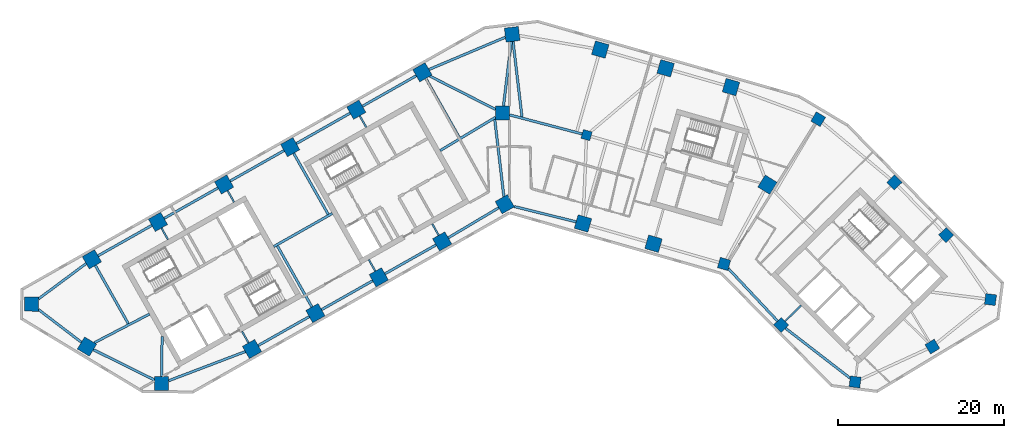
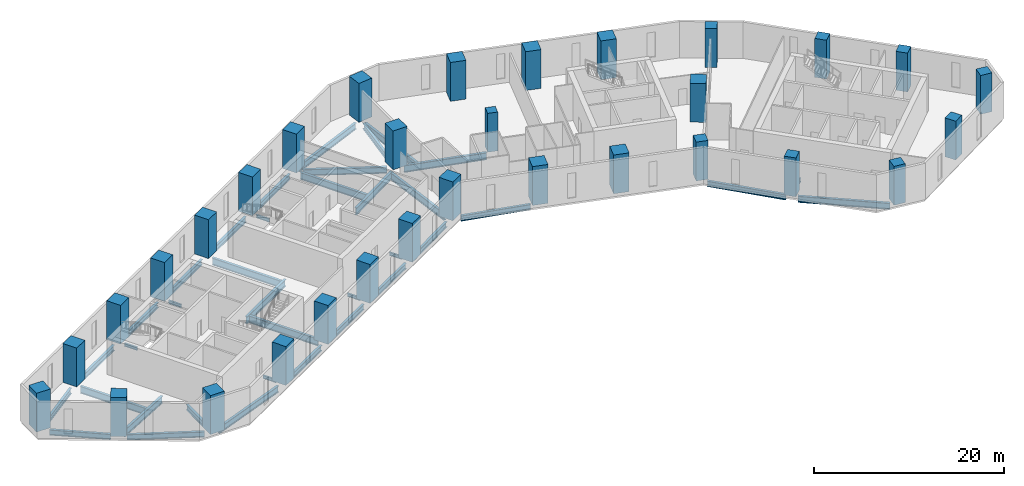
# One storey, part 1 of 10: 37 beams, 31 columns.
"""IFC4 building model written with IfcOpenShell, lengths in metres."""

from ifc_helpers import new_model, si_unit, direction, frame, origin, origin_2d, place, context, subcontext, project, spatial, rectangle, i_section, extrude, material, material_profile, profile_set, type_object, element, save


model = new_model("IFC4")

# Units and contexts
model_context = context("Model", 3, precision=1e-05, world=origin(), true_north=direction((0.0, 1.0)))
body_context = subcontext(model_context, "Body", "Model", "MODEL_VIEW")
ifc_project = project(units=[si_unit("LENGTHUNIT", "METRE"), si_unit("AREAUNIT", "SQUARE_METRE"), si_unit("VOLUMEUNIT", "CUBIC_METRE"), si_unit("PLANEANGLEUNIT", "RADIAN"), si_unit("MASSUNIT", "GRAM", prefix="KILO")], contexts=[model_context])

# Site, building, storey
site_placement = place(None, origin())
site = spatial("IfcSite", under=ifc_project, at=site_placement, CompositionType="ELEMENT")
building_placement = place(site_placement, origin())
building = spatial("IfcBuilding", under=site, at=building_placement, Name="Binnacle Exchange Tower", CompositionType="ELEMENT")
storey_placement = place(building_placement, frame((0.0, 0.0, 61.5)))
storey = spatial("IfcBuildingStorey", under=building, at=storey_placement, Name="L12", CompositionType="ELEMENT", Elevation=61.5)

# Columns
ifc_material_1 = material(Name="Concrete C60/75", Category="concrete")
ifc_material_profile_1 = material_profile(ifc_material_1, rectangle(XDim=1.10009765625, YDim=1.10009765625, at=origin_2d()), Name="Column 1100x1100 C60/75")
ifc_profile_set_1 = profile_set([ifc_material_profile_1], Name="Concrete C60/75")
column_type_1 = type_object("IfcColumnType", Name="Column 1100x1100 C60/75", PredefinedType="COLUMN", material=ifc_profile_set_1)
column_placement = place(storey_placement, frame((9.240966796875, 57.35009765625, 0.0), z_axis=(0.0, 0.0, 1.0), x_axis=(0.961261695938, -0.275637355817, 0.0)))
element("IfcColumn", 1, at=column_placement, inside=storey, type_object=column_type_1, Name="S:COL:C19:L12", PredefinedType="COLUMN", context=body_context, shape_type="SweptSolid", body=[
    extrude(rectangle(XDim=1.10009765625, YDim=1.10009765625, at=origin_2d()), origin(), (0.0, 0.0, 1.0), 5.0),
])
ifc_material_2 = material(Name="Concrete C70/85", Category="concrete")
ifc_material_profile_2 = material_profile(ifc_material_2, rectangle(XDim=1.300048828125, YDim=1.300048828125, at=origin_2d()), Name="Mega column 1300x1300 C70/85")
ifc_profile_set_2 = profile_set([ifc_material_profile_2], Name="Concrete C70/85")
column_type_2 = type_object("IfcColumnType", Name="Mega column 1300x1300 C70/85", PredefinedType="COLUMN", material=ifc_profile_set_2)
for number, where, z_axis, x_axis, name in (
    (2, (37.0849609375, 59.262451171875, 0.0), (0.0, 0.0, 1.0), (-0.859406411501, 0.511293086077, 0.0), "S:COL:MC57:L12"),
    (3, (25.766845703125, 41.85986328125, 0.0), (0.0, 0.0, 1.0), (0.961261695938, -0.275637355817, 0.0), "S:COL:MC56:L12"),
    (4, (32.64111328125, 34.530029296875, 0.0), (0.0, 0.0, 1.0), (0.7009092643, -0.713250449154, 0.0), "S:COL:MC59:L12"),
    (5, (41.519775390625, 27.6748046875, 0.0), (0.0, 0.0, 1.0), (0.99200494968, -0.126198969136, 0.0), "S:COL:MC61:L12"),
    (6, (50.81201171875, 31.930908203125, 0.0), (0.0, 0.0, 1.0), (0.857167300702, 0.51503807491, 0.0), "S:COL:MC63:L12"),
    (7, (57.799072265625, 37.5810546875, 0.0), (0.0, 0.0, 1.0), (0.126198969136, 0.99200494968, 0.0), "S:COL:MC62:L12"),
    (8, (52.466796875, 45.33935546875, 0.0), (0.0, 0.0, 1.0), (-0.7009092643, 0.713250449154, 0.0), "S:COL:MC60:L12"),
    (9, (46.248291015625, 51.667236328125, 0.0), (0.0, 0.0, 1.0), (-0.7009092643, 0.713250449154, 0.0), "S:COL:MC58:L12"),
):
    element("IfcColumn", number, at=place(storey_placement, frame(where, z_axis=z_axis, x_axis=x_axis)), inside=storey, type_object=column_type_2, Name=name, PredefinedType="COLUMN", context=body_context, shape_type="SweptSolid", body=[
        extrude(rectangle(XDim=1.300048828125, YDim=1.300048828125, at=origin_2d()), origin(), (0.0, 0.0, 1.0), 5.0),
    ])
ifc_material_profile_3 = material_profile(ifc_material_2, rectangle(XDim=1.699951171875, YDim=1.699951171875, at=origin_2d()), Name="Mega column 1700x1700 C70/85")
ifc_profile_set_3 = profile_set([ifc_material_profile_3], Name="Concrete C70/85")
column_type_3 = type_object("IfcColumnType", Name="Mega column 1700x1700 C70/85", PredefinedType="COLUMN", material=ifc_profile_set_3)
for number, where, z_axis, x_axis, name in (
    (10, (26.602783203125, 63.12353515625, 0.0), (0.0, 0.0, 1.0), (-0.961261695938, 0.275637355817, 0.0), "S:COL:MC52:L12"),
    (11, (18.746337890625, 65.376220703125, 0.0), (0.0, 0.0, 1.0), (-0.961261695938, 0.275637355817, 0.0), "S:COL:MC50:L12"),
    (12, (10.889892578125, 67.62890625, 0.0), (0.0, 0.0, 1.0), (-0.961261695938, 0.275637355817, 0.0), "S:COL:MC48:L12"),
    (13, (0.300048828125, 69.464111328125, 0.0), (0.0, 0.0, 1.0), (-0.993068456955, -0.117537397458, 0.0), "S:COL:MC47:L12"),
    (14, (-10.4951171875, 64.901611328125, 0.0), (0.0, 0.0, 1.0), (-0.87035569594, -0.492423560103, 0.0), "S:COL:MC38:L12"),
    (15, (-18.44140625, 60.406005859375, 0.0), (0.0, 0.0, 1.0), (-0.87035569594, -0.492423560103, 0.0), "S:COL:MC29:L12"),
    (16, (-26.3876953125, 55.91015625, 0.0), (0.0, 0.0, 1.0), (-0.87035569594, -0.492423560103, 0.0), "S:COL:MC21:L12"),
    (17, (-34.333740234375, 51.414306640625, 0.0), (0.0, 0.0, 1.0), (-0.87035569594, -0.492423560103, 0.0), "S:COL:MC13:L12"),
    (18, (-42.280029296875, 46.918701171875, 0.0), (0.0, 0.0, 1.0), (-0.87035569594, -0.492423560103, 0.0), "S:COL:MC08:L12"),
    (19, (-50.226318359375, 42.4228515625, 0.0), (0.0, 0.0, 1.0), (-0.87035569594, -0.492423560103, 0.0), "S:COL:MC04:L12"),
    (20, (-57.492919921875, 37.02734375, 0.0), (0.0, 0.0, 1.0), (-0.013089595571, -0.999914327574, 0.0), "S:COL:MC02:L12"),
    (21, (-50.81201171875, 31.930908203125, 0.0), (0.0, 0.0, 1.0), (0.857167300702, -0.51503807491, 0.0), "S:COL:MC01:L12"),
    (22, (-41.857666015625, 27.494873046875, 0.0), (0.0, 0.0, 1.0), (0.999914327574, -0.013089595571, 0.0), "S:COL:MC03:L12"),
    (23, (-30.9755859375, 31.63525390625, 0.0), (0.0, 0.0, 1.0), (0.87035569594, 0.492423560103, 0.0), "S:COL:MC07:L12"),
    (24, (-23.35595703125, 35.9462890625, 0.0), (0.0, 0.0, 1.0), (0.87035569594, 0.492423560103, 0.0), "S:COL:MC16:L12"),
    (25, (-15.736328125, 40.257080078125, 0.0), (0.0, 0.0, 1.0), (0.87035569594, 0.492423560103, 0.0), "S:COL:MC24:L12"),
    (26, (-8.116943359375, 44.568115234375, 0.0), (0.0, 0.0, 1.0), (0.87035569594, 0.492423560103, 0.0), "S:COL:MC35:L12"),
    (27, (-0.5908203125, 49.04443359375, 0.0), (0.0, 0.0, 1.0), (0.87035569594, 0.492423560103, 0.0), "S:COL:MC46:L12"),
    (28, (8.8095703125, 46.722412109375, 0.0), (0.0, 0.0, 1.0), (0.961261695938, -0.275637355817, 0.0), "S:COL:MC49:L12"),
    (29, (17.2880859375, 44.291015625, 0.0), (0.0, 0.0, 1.0), (0.961261695938, -0.275637355817, 0.0), "S:COL:MC51:L12"),
    (30, (30.989501953125, 51.38623046875, 0.0), (0.0, 0.0, 1.0), (0.529919264233, 0.848048096156, 0.0), "S:COL:MC55:L12"),
    (31, (-0.85009765625, 60.0, 0.0), (0.0, 0.0, 1.0), (0.0, 1.0, 0.0), "S:COL:MC45:L12"),
):
    element("IfcColumn", number, at=place(storey_placement, frame(where, z_axis=z_axis, x_axis=x_axis)), inside=storey, type_object=column_type_3, Name=name, PredefinedType="COLUMN", context=body_context, shape_type="SweptSolid", body=[
        extrude(rectangle(XDim=1.699951171875, YDim=1.699951171875, at=origin_2d()), origin(), (0.0, 0.0, 1.0), 5.0),
    ])

# Beams
ifc_material_3 = material(Name="Steel S355 (SHN355)", Category="steel")
ifc_material_profile_4 = material_profile(ifc_material_3, i_section(OverallWidth=0.300048828125, OverallDepth=0.699951171875, WebThickness=0.012939453125, FlangeThickness=0.02392578125, FilletRadius=0.028076171875, at=origin_2d()), Name="H 700x300x13x24")
ifc_profile_set_4 = profile_set([ifc_material_profile_4], Name="Steel S355 (SHN355)")
beam_type_1 = type_object("IfcBeamType", Name="Edge girder H 700x300x13x24 Steel S355 (SHN355)", PredefinedType="SPANDREL", material=ifc_profile_set_4)
beam_1_placement = place(storey_placement, frame((-56.6513671875, 36.38525390625, -0.669921875), z_axis=(0.795093040263, -0.606487474994, 0.0), x_axis=(0.606487474994, 0.795093040263, 0.0)))
element("IfcBeam", 32, at=beam_1_placement, inside=storey, type_object=beam_type_1, Name="S:BM:edge:L12:015", PredefinedType="SPANDREL", context=body_context, shape_type="SweptSolid", body=[
    extrude(i_section(OverallWidth=0.300048828125, OverallDepth=0.699951171875, WebThickness=0.012939453125, FlangeThickness=0.02392578125, FilletRadius=0.028076171875, at=origin_2d()), origin(), (0.0, 0.0, 1.0), 6.489013671875),
])
beam_2_placement = place(storey_placement, frame((-50.913818359375, 41.912353515625, -0.669921875), z_axis=(-0.80288535334, -0.59613346609, 0.0), x_axis=(0.59613346609, -0.80288535334, 0.0)))
element("IfcBeam", 33, at=beam_2_placement, inside=storey, type_object=beam_type_1, Name="S:BM:edge:L12:016", PredefinedType="SPANDREL", context=body_context, shape_type="SweptSolid", body=[
    extrude(i_section(OverallWidth=0.300048828125, OverallDepth=0.699951171875, WebThickness=0.012939453125, FlangeThickness=0.02392578125, FilletRadius=0.028076171875, at=origin_2d()), origin(), (0.0, 0.0, 1.0), 7.125244140625),
])
beam_3_placement = place(storey_placement, frame((-43.019775390625, 46.5, -0.669921875), z_axis=(-0.870364477798, -0.492408037898, 0.0), x_axis=(0.492408037898, -0.870364477798, 0.0)))
element("IfcBeam", 34, at=beam_3_placement, inside=storey, type_object=beam_type_1, Name="S:BM:edge:L12:018", PredefinedType="SPANDREL", context=body_context, shape_type="SweptSolid", body=[
    extrude(i_section(OverallWidth=0.300048828125, OverallDepth=0.699951171875, WebThickness=0.012939453125, FlangeThickness=0.02392578125, FilletRadius=0.028076171875, at=origin_2d()), origin(), (0.0, 0.0, 1.0), 7.4296875),
])
beam_4_placement = place(storey_placement, frame((-35.073486328125, 50.995849609375, -0.669921875), z_axis=(-0.870372444894, -0.492393955253, 0.0), x_axis=(0.492393955253, -0.870372444894, 0.0)))
element("IfcBeam", 35, at=beam_4_placement, inside=storey, type_object=beam_type_1, Name="S:BM:edge:L12:020", PredefinedType="SPANDREL", context=body_context, shape_type="SweptSolid", body=[
    extrude(i_section(OverallWidth=0.300048828125, OverallDepth=0.699951171875, WebThickness=0.012939453125, FlangeThickness=0.02392578125, FilletRadius=0.028076171875, at=origin_2d()), origin(), (0.0, 0.0, 1.0), 7.429931640625),
])
beam_5_placement = place(storey_placement, frame((-30.23583984375, 32.053955078125, -0.669921875), z_axis=(0.870373276953, 0.492392484473, 0.0), x_axis=(-0.492392484473, 0.870373276953, 0.0)))
element("IfcBeam", 36, at=beam_5_placement, inside=storey, type_object=beam_type_1, Name="S:BM:edge:L12:021", PredefinedType="SPANDREL", context=body_context, shape_type="SweptSolid", body=[
    extrude(i_section(OverallWidth=0.300048828125, OverallDepth=0.699951171875, WebThickness=0.012939453125, FlangeThickness=0.02392578125, FilletRadius=0.028076171875, at=origin_2d()), origin(), (0.0, 0.0, 1.0), 7.0546875),
])
beam_6_placement = place(storey_placement, frame((-27.12744140625, 55.49169921875, -0.669921875), z_axis=(-0.870350394687, -0.492432929919, 0.0), x_axis=(0.492432929919, -0.870350394687, 0.0)))
element("IfcBeam", 37, at=beam_6_placement, inside=storey, type_object=beam_type_1, Name="S:BM:edge:L12:022", PredefinedType="SPANDREL", context=body_context, shape_type="SweptSolid", body=[
    extrude(i_section(OverallWidth=0.300048828125, OverallDepth=0.699951171875, WebThickness=0.012939453125, FlangeThickness=0.02392578125, FilletRadius=0.028076171875, at=origin_2d()), origin(), (0.0, 0.0, 1.0), 7.429931640625),
])
beam_7_placement = place(storey_placement, frame((-22.6162109375, 36.36474609375, -0.669921875), z_axis=(0.870350053651, 0.492433532681, 0.0), x_axis=(-0.492433532681, 0.870350053651, 0.0)))
element("IfcBeam", 38, at=beam_7_placement, inside=storey, type_object=beam_type_1, Name="S:BM:edge:L12:023", PredefinedType="SPANDREL", context=body_context, shape_type="SweptSolid", body=[
    extrude(i_section(OverallWidth=0.300048828125, OverallDepth=0.699951171875, WebThickness=0.012939453125, FlangeThickness=0.02392578125, FilletRadius=0.028076171875, at=origin_2d()), origin(), (0.0, 0.0, 1.0), 7.054443359375),
])
beam_8_placement = place(storey_placement, frame((-19.18115234375, 59.9873046875, -0.669921875), z_axis=(-0.870364477798, -0.492408037898, 0.0), x_axis=(0.492408037898, -0.870364477798, 0.0)))
element("IfcBeam", 39, at=beam_8_placement, inside=storey, type_object=beam_type_1, Name="S:BM:edge:L12:024", PredefinedType="SPANDREL", context=body_context, shape_type="SweptSolid", body=[
    extrude(i_section(OverallWidth=0.300048828125, OverallDepth=0.699951171875, WebThickness=0.012939453125, FlangeThickness=0.02392578125, FilletRadius=0.028076171875, at=origin_2d()), origin(), (0.0, 0.0, 1.0), 7.4296875),
])
beam_9_placement = place(storey_placement, frame((-14.99658203125, 40.67578125, -0.669921875), z_axis=(0.870364886025, 0.492407316329, 0.0), x_axis=(-0.492407316329, 0.870364886025, 0.0)))
element("IfcBeam", 40, at=beam_9_placement, inside=storey, type_object=beam_type_1, Name="S:BM:edge:L12:025", PredefinedType="SPANDREL", context=body_context, shape_type="SweptSolid", body=[
    extrude(i_section(OverallWidth=0.300048828125, OverallDepth=0.699951171875, WebThickness=0.012939453125, FlangeThickness=0.02392578125, FilletRadius=0.028076171875, at=origin_2d()), origin(), (0.0, 0.0, 1.0), 7.054443359375),
])
beam_10_placement = place(storey_placement, frame((-11.23486328125, 64.483154296875, -0.669921875), z_axis=(-0.870364477798, -0.492408037898, 0.0), x_axis=(0.492408037898, -0.870364477798, 0.0)))
element("IfcBeam", 41, at=beam_10_placement, inside=storey, type_object=beam_type_1, Name="S:BM:edge:L12:026", PredefinedType="SPANDREL", context=body_context, shape_type="SweptSolid", body=[
    extrude(i_section(OverallWidth=0.300048828125, OverallDepth=0.699951171875, WebThickness=0.012939453125, FlangeThickness=0.02392578125, FilletRadius=0.028076171875, at=origin_2d()), origin(), (0.0, 0.0, 1.0), 7.4296875),
])
beam_11_placement = place(storey_placement, frame((-7.38623046875, 45.002685546875, -0.669921875), z_axis=(0.859464815262, 0.511194905419, 0.0), x_axis=(-0.511194905419, 0.859464815262, 0.0)))
element("IfcBeam", 42, at=beam_11_placement, inside=storey, type_object=beam_type_1, Name="S:BM:edge:L12:027", PredefinedType="SPANDREL", context=body_context, shape_type="SweptSolid", body=[
    extrude(i_section(OverallWidth=0.300048828125, OverallDepth=0.699951171875, WebThickness=0.012939453125, FlangeThickness=0.02392578125, FilletRadius=0.028076171875, at=origin_2d()), origin(), (0.0, 0.0, 1.0), 7.056396484375),
])
beam_12_placement = place(storey_placement, frame((0.54443359375, 48.763916015625, -0.669921875), z_axis=(0.970818997342, -0.239813415805, 0.0), x_axis=(0.239813415805, 0.970818997342, 0.0)))
element("IfcBeam", 43, at=beam_12_placement, inside=storey, type_object=beam_type_1, Name="S:BM:edge:L12:029", PredefinedType="SPANDREL", context=body_context, shape_type="SweptSolid", body=[
    extrude(i_section(OverallWidth=0.300048828125, OverallDepth=0.699951171875, WebThickness=0.012939453125, FlangeThickness=0.02392578125, FilletRadius=0.028076171875, at=origin_2d()), origin(), (0.0, 0.0, 1.0), 7.662841796875),
])
ifc_material_profile_5 = material_profile(ifc_material_3, i_section(OverallWidth=0.302001953125, OverallDepth=0.7080078125, WebThickness=0.014892578125, FlangeThickness=0.028076171875, FilletRadius=0.028076171875, at=origin_2d()), Name="H 708x302x15x28")
ifc_profile_set_5 = profile_set([ifc_material_profile_5], Name="Steel S355 (SHN355)")
beam_type_2 = type_object("IfcBeamType", Name="Edge girder H 708x302x15x28 Steel S355 (SHN355)", PredefinedType="SPANDREL", material=ifc_profile_set_5)
beam_13_placement = place(storey_placement, frame((-50.0478515625, 31.55224609375, -0.674072265625), z_axis=(0.896059216286, -0.443934545749, 0.0), x_axis=(0.443934545749, 0.896059216286, 0.0)))
element("IfcBeam", 44, at=beam_13_placement, inside=storey, type_object=beam_type_2, Name="S:BM:edge:L12:017", PredefinedType="SPANDREL", context=body_context, shape_type="SweptSolid", body=[
    extrude(i_section(OverallWidth=0.302001953125, OverallDepth=0.7080078125, WebThickness=0.014892578125, FlangeThickness=0.028076171875, FilletRadius=0.028076171875, at=origin_2d()), origin(), (0.0, 0.0, 1.0), 8.197509765625),
])
beam_14_placement = place(storey_placement, frame((26.284912109375, 41.3076171875, -0.674072265625), z_axis=(0.684056711164, -0.729428828544, 0.0), x_axis=(0.729428828544, 0.684056711164, 0.0)))
element("IfcBeam", 45, at=beam_14_placement, inside=storey, type_object=beam_type_2, Name="S:BM:edge:L12:035", PredefinedType="SPANDREL", context=body_context, shape_type="SweptSolid", body=[
    extrude(i_section(OverallWidth=0.302001953125, OverallDepth=0.7080078125, WebThickness=0.014892578125, FlangeThickness=0.028076171875, FilletRadius=0.028076171875, at=origin_2d()), origin(), (0.0, 0.0, 1.0), 8.6416015625),
])
ifc_material_profile_6 = material_profile(ifc_material_3, i_section(OverallWidth=0.302001953125, OverallDepth=0.80810546875, WebThickness=0.01611328125, FlangeThickness=0.030029296875, FilletRadius=0.028076171875, at=origin_2d()), Name="H 808x302x16x30")
ifc_profile_set_6 = profile_set([ifc_material_profile_6], Name="Steel S355 (SHN355)")
beam_type_3 = type_object("IfcBeamType", Name="Edge girder H 808x302x16x30 Steel S355 (SHN355)", PredefinedType="SPANDREL", material=ifc_profile_set_6)
beam_15_placement = place(storey_placement, frame((-41.00341796875, 27.81982421875, -0.72412109375), z_axis=(0.934628738252, 0.355624973297, 0.0), x_axis=(-0.355624973297, 0.934628738252, 0.0)))
element("IfcBeam", 46, at=beam_15_placement, inside=storey, type_object=beam_type_3, Name="S:BM:edge:L12:019", PredefinedType="SPANDREL", context=body_context, shape_type="SweptSolid", body=[
    extrude(i_section(OverallWidth=0.302001953125, OverallDepth=0.80810546875, WebThickness=0.01611328125, FlangeThickness=0.030029296875, FilletRadius=0.028076171875, at=origin_2d()), origin(), (0.0, 0.0, 1.0), 9.869384765625),
])
beam_16_placement = place(storey_placement, frame((-0.51513671875, 69.11962890625, -0.72412109375), z_axis=(-0.921111373297, -0.389299162578, 0.0), x_axis=(0.389299162578, -0.921111373297, 0.0)))
element("IfcBeam", 47, at=beam_16_placement, inside=storey, type_object=beam_type_3, Name="S:BM:edge:L12:028", PredefinedType="SPANDREL", context=body_context, shape_type="SweptSolid", body=[
    extrude(i_section(OverallWidth=0.302001953125, OverallDepth=0.80810546875, WebThickness=0.01611328125, FlangeThickness=0.030029296875, FilletRadius=0.028076171875, at=origin_2d()), origin(), (0.0, 0.0, 1.0), 9.978759765625),
])
beam_17_placement = place(storey_placement, frame((33.160400390625, 34.12890625, -0.72412109375), z_axis=(0.791533490776, -0.611125791454, 0.0), x_axis=(0.611125791454, 0.791533490776, 0.0)))
element("IfcBeam", 48, at=beam_17_placement, inside=storey, type_object=beam_type_3, Name="S:BM:edge:L12:036", PredefinedType="SPANDREL", context=body_context, shape_type="SweptSolid", body=[
    extrude(i_section(OverallWidth=0.302001953125, OverallDepth=0.80810546875, WebThickness=0.01611328125, FlangeThickness=0.030029296875, FilletRadius=0.028076171875, at=origin_2d()), origin(), (0.0, 0.0, 1.0), 9.80712890625),
])
ifc_material_profile_7 = material_profile(ifc_material_3, i_section(OverallWidth=0.199951171875, OverallDepth=0.39990234375, WebThickness=0.008056640625, FlangeThickness=0.012939453125, FilletRadius=0.01611328125, at=origin_2d()), Name="H 400x200x8x13")
ifc_profile_set_7 = profile_set([ifc_material_profile_7], Name="Steel S355 (SHN355)")
beam_type_4 = type_object("IfcBeamType", Name="Floor beam H 400x200x8x13 Steel S355 (SHN355)", PredefinedType="BEAM", material=ifc_profile_set_7)
beam_18_placement = place(storey_placement, frame((-41.861328125, 46.178955078125, -0.52001953125), z_axis=(0.492366981934, -0.870387703901, 0.0), x_axis=(0.870387703901, 0.492366981934, 0.0)))
element("IfcBeam", 49, at=beam_18_placement, inside=storey, type_object=beam_type_4, Name="S:BM:cross:L12:044", PredefinedType="BEAM", context=body_context, shape_type="SweptSolid", body=[
    extrude(i_section(OverallWidth=0.199951171875, OverallDepth=0.39990234375, WebThickness=0.008056640625, FlangeThickness=0.012939453125, FilletRadius=0.01611328125, at=origin_2d()), origin(), (0.0, 0.0, 1.0), 1.584228515625),
])
beam_19_placement = place(storey_placement, frame((-33.915283203125, 50.674560546875, -0.52001953125), z_axis=(0.492483715062, -0.870321659158, 0.0), x_axis=(0.870321659158, 0.492483715062, 0.0)))
element("IfcBeam", 50, at=beam_19_placement, inside=storey, type_object=beam_type_4, Name="S:BM:cross:L12:046", PredefinedType="BEAM", context=body_context, shape_type="SweptSolid", body=[
    extrude(i_section(OverallWidth=0.199951171875, OverallDepth=0.39990234375, WebThickness=0.008056640625, FlangeThickness=0.012939453125, FilletRadius=0.01611328125, at=origin_2d()), origin(), (0.0, 0.0, 1.0), 1.58447265625),
])
for number, where, z_axis, x_axis, name in (
    (51, (-31.394287109375, 32.375, -0.52001953125), (-0.492366981934, 0.870387703901, 0.0), (-0.870387703901, -0.492366981934, 0.0), "S:BM:cross:L12:047"),
    (52, (-18.022705078125, 59.666259765625, -0.52001953125), (0.492366981934, -0.870387703901, 0.0), (0.870387703901, 0.492366981934, 0.0), "S:BM:cross:L12:050"),
    (53, (-16.155029296875, 40.9970703125, -0.52001953125), (-0.492366981934, 0.870387703901, 0.0), (-0.870387703901, -0.492366981934, 0.0), "S:BM:cross:L12:051"),
):
    element("IfcBeam", number, at=place(storey_placement, frame(where, z_axis=z_axis, x_axis=x_axis)), inside=storey, type_object=beam_type_4, Name=name, PredefinedType="BEAM", context=body_context, shape_type="SweptSolid", body=[
        extrude(i_section(OverallWidth=0.199951171875, OverallDepth=0.39990234375, WebThickness=0.008056640625, FlangeThickness=0.012939453125, FilletRadius=0.01611328125, at=origin_2d()), origin(), (0.0, 0.0, 1.0), 1.584228515625),
    ])
beam_20_placement = place(storey_placement, frame((-8.535400390625, 45.307861328125, -0.52001953125), z_axis=(-0.492483715062, 0.870321659158, 0.0), x_axis=(-0.870321659158, -0.492483715062, 0.0)))
element("IfcBeam", 54, at=beam_20_placement, inside=storey, type_object=beam_type_4, Name="S:BM:cross:L12:053", PredefinedType="BEAM", context=body_context, shape_type="SweptSolid", body=[
    extrude(i_section(OverallWidth=0.199951171875, OverallDepth=0.39990234375, WebThickness=0.008056640625, FlangeThickness=0.012939453125, FilletRadius=0.01611328125, at=origin_2d()), origin(), (0.0, 0.0, 1.0), 1.58447265625),
])
ifc_material_profile_8 = material_profile(ifc_material_3, i_section(OverallWidth=0.199951171875, OverallDepth=0.449951171875, WebThickness=0.009033203125, FlangeThickness=0.013916015625, FilletRadius=0.01806640625, at=origin_2d()), Name="H 450x200x9x14")
ifc_profile_set_8 = profile_set([ifc_material_profile_8], Name="Steel S355 (SHN355)")
beam_type_5 = type_object("IfcBeamType", Name="Floor beam H 450x200x9x14 Steel S355 (SHN355)", PredefinedType="BEAM", material=ifc_profile_set_8)
beam_21_placement = place(storey_placement, frame((33.104736328125, 34.985595703125, -0.544921875), z_axis=(0.713254209224, 0.700905438004, 0.0), x_axis=(-0.700905438004, 0.713254209224, 0.0)))
element("IfcBeam", 55, at=beam_21_placement, inside=storey, type_object=beam_type_5, Name="S:BM:cross:L12:061", PredefinedType="BEAM", context=body_context, shape_type="SweptSolid", body=[
    extrude(i_section(OverallWidth=0.199951171875, OverallDepth=0.449951171875, WebThickness=0.009033203125, FlangeThickness=0.013916015625, FilletRadius=0.01806640625, at=origin_2d()), origin(), (0.0, 0.0, 1.0), 2.70849609375),
])
ifc_material_profile_9 = material_profile(ifc_material_3, i_section(OverallWidth=0.300048828125, OverallDepth=0.699951171875, WebThickness=0.012939453125, FlangeThickness=0.02392578125, FilletRadius=0.028076171875, at=origin_2d()), Name="H 700x300x13x24")
ifc_profile_set_9 = profile_set([ifc_material_profile_9], Name="Steel S355 (SHN355)")
beam_type_6 = type_object("IfcBeamType", Name="Floor beam H 700x300x13x24 Steel S355 (SHN355)", PredefinedType="BEAM", material=ifc_profile_set_9)
beam_22_placement = place(storey_placement, frame((-41.8466796875, 28.3447265625, -0.669921875), z_axis=(0.013120628196, 0.999913920853, 0.0), x_axis=(-0.999913920853, 0.013120628196, 0.0)))
element("IfcBeam", 56, at=beam_22_placement, inside=storey, type_object=beam_type_6, Name="S:BM:cross:L12:045", PredefinedType="BEAM", context=body_context, shape_type="SweptSolid", body=[
    extrude(i_section(OverallWidth=0.300048828125, OverallDepth=0.699951171875, WebThickness=0.012939453125, FlangeThickness=0.02392578125, FilletRadius=0.028076171875, at=origin_2d()), origin(), (0.0, 0.0, 1.0), 4.80078125),
])
ifc_material_profile_10 = material_profile(ifc_material_3, i_section(OverallWidth=0.300048828125, OverallDepth=0.89990234375, WebThickness=0.01611328125, FlangeThickness=0.028076171875, FilletRadius=0.028076171875, at=origin_2d()), Name="H 900x300x16x28")
ifc_profile_set_10 = profile_set([ifc_material_profile_10], Name="Steel S355 (SHN355)")
beam_type_7 = type_object("IfcBeamType", Name="Floor beam H 900x300x16x28 Steel S355 (SHN355)", PredefinedType="BEAM", material=ifc_profile_set_10)
beam_23_placement = place(storey_placement, frame((-49.8076171875, 41.68310546875, -0.77001953125), z_axis=(0.492423370769, -0.87035580306, 0.0), x_axis=(0.87035580306, 0.492423370769, 0.0)))
element("IfcBeam", 57, at=beam_23_placement, inside=storey, type_object=beam_type_7, Name="S:BM:cross:L12:043", PredefinedType="BEAM", context=body_context, shape_type="SweptSolid", body=[
    extrude(i_section(OverallWidth=0.300048828125, OverallDepth=0.89990234375, WebThickness=0.01611328125, FlangeThickness=0.028076171875, FilletRadius=0.028076171875, at=origin_2d()), origin(), (0.0, 0.0, 1.0), 8.041259765625),
])
beam_24_placement = place(storey_placement, frame((-10.076416015625, 64.161865234375, -0.77001953125), z_axis=(0.492410737926, -0.870362950254, 0.0), x_axis=(0.870362950254, 0.492410737926, 0.0)))
element("IfcBeam", 58, at=beam_24_placement, inside=storey, type_object=beam_type_7, Name="S:BM:cross:L12:052", PredefinedType="BEAM", context=body_context, shape_type="SweptSolid", body=[
    extrude(i_section(OverallWidth=0.300048828125, OverallDepth=0.89990234375, WebThickness=0.01611328125, FlangeThickness=0.028076171875, FilletRadius=0.028076171875, at=origin_2d()), origin(), (0.0, 0.0, 1.0), 8.16943359375),
])
ifc_material_profile_11 = material_profile(ifc_material_3, i_section(OverallWidth=0.302001953125, OverallDepth=0.912109375, WebThickness=0.01806640625, FlangeThickness=0.033935546875, FilletRadius=0.028076171875, at=origin_2d()), Name="H 912x302x18x34")
ifc_profile_set_11 = profile_set([ifc_material_profile_11], Name="Steel S355 (SHN355)")
beam_type_8 = type_object("IfcBeamType", Name="Floor beam H 912x302x18x34 Steel S355 (SHN355)", PredefinedType="BEAM", material=ifc_profile_set_11)
for number, where, z_axis, x_axis, name in (
    (59, (-25.968994140625, 55.17041015625, -0.77587890625), (0.492409177884, -0.870363832851, 0.0), (0.870363832851, 0.492409177884, 0.0), "S:BM:cross:L12:048"),
    (60, (-23.774658203125, 36.68603515625, -0.77587890625), (-0.492409177884, 0.870363832851, 0.0), (-0.870363832851, -0.492409177884, 0.0), "S:BM:cross:L12:049"),
):
    element("IfcBeam", number, at=place(storey_placement, frame(where, z_axis=z_axis, x_axis=x_axis)), inside=storey, type_object=beam_type_8, Name=name, PredefinedType="BEAM", context=body_context, shape_type="SweptSolid", body=[
        extrude(i_section(OverallWidth=0.302001953125, OverallDepth=0.912109375, WebThickness=0.01806640625, FlangeThickness=0.033935546875, FilletRadius=0.028076171875, at=origin_2d()), origin(), (0.0, 0.0, 1.0), 8.43408203125),
    ])
ifc_material_profile_12 = material_profile(ifc_material_3, i_section(OverallWidth=0.302978515625, OverallDepth=0.91796875, WebThickness=0.01904296875, FlangeThickness=0.037109375, FilletRadius=0.028076171875, at=origin_2d()), Name="H 918x303x19x37")
ifc_profile_set_12 = profile_set([ifc_material_profile_12], Name="Steel S355 (SHN355)")
beam_type_9 = type_object("IfcBeamType", Name="Floor beam H 918x303x19x37 Steel S355 (SHN355)", PredefinedType="BEAM", material=ifc_profile_set_12)
beam_25_placement = place(storey_placement, frame((-0.69921875, 49.959716796875, -0.779052734375), z_axis=(-0.117528717449, 0.993069484263, 0.0), x_axis=(-0.993069484263, -0.117528717449, 0.0)))
element("IfcBeam", 61, at=beam_25_placement, inside=storey, type_object=beam_type_9, Name="S:BM:cross:L12:054", PredefinedType="BEAM", context=body_context, shape_type="SweptSolid", body=[
    extrude(i_section(OverallWidth=0.302978515625, OverallDepth=0.91796875, WebThickness=0.01904296875, FlangeThickness=0.037109375, FilletRadius=0.028076171875, at=origin_2d()), origin(), (0.0, 0.0, 1.0), 9.374755859375),
])
beam_26_placement = place(storey_placement, frame((0.39990234375, 68.6201171875, -0.779052734375), z_axis=(0.117562643201, -0.993065468599, 0.0), x_axis=(0.993065468599, 0.117562643201, 0.0)))
element("IfcBeam", 62, at=beam_26_placement, inside=storey, type_object=beam_type_9, Name="S:BM:cross:L12:055", PredefinedType="BEAM", context=body_context, shape_type="SweptSolid", body=[
    extrude(i_section(OverallWidth=0.302978515625, OverallDepth=0.91796875, WebThickness=0.01904296875, FlangeThickness=0.037109375, FilletRadius=0.028076171875, at=origin_2d()), origin(), (0.0, 0.0, 1.0), 9.14990234375),
])
ifc_material_profile_13 = material_profile(ifc_material_3, i_section(OverallWidth=0.302001953125, OverallDepth=0.7080078125, WebThickness=0.014892578125, FlangeThickness=0.028076171875, FilletRadius=0.028076171875, at=origin_2d()), Name="H 708x302x15x28")
ifc_profile_set_13 = profile_set([ifc_material_profile_13], Name="Steel S355 (SHN355)")
beam_type_10 = type_object("IfcBeamType", Name="Spine girder H 708x302x15x28 Steel S355 (SHN355)", PredefinedType="BEAM", material=ifc_profile_set_13)
beam_27_placement = place(storey_placement, frame((-0.74658203125, 60.85009765625, -0.674072265625), z_axis=(0.120621974738, 0.992698513755, 0.0), x_axis=(-0.992698513755, 0.120621974738, 0.0)))
element("IfcBeam", 63, at=beam_27_placement, inside=storey, type_object=beam_type_10, Name="S:BM:spine:L12:005", PredefinedType="BEAM", context=body_context, shape_type="SweptSolid", body=[
    extrude(i_section(OverallWidth=0.302001953125, OverallDepth=0.7080078125, WebThickness=0.014892578125, FlangeThickness=0.028076171875, FilletRadius=0.028076171875, at=origin_2d()), origin(), (0.0, 0.0, 1.0), 7.802490234375),
])
ifc_material_profile_14 = material_profile(ifc_material_3, i_section(OverallWidth=0.302001953125, OverallDepth=0.80810546875, WebThickness=0.01611328125, FlangeThickness=0.030029296875, FilletRadius=0.028076171875, at=origin_2d()), Name="H 808x302x16x30")
ifc_profile_set_14 = profile_set([ifc_material_profile_14], Name="Steel S355 (SHN355)")
beam_type_11 = type_object("IfcBeamType", Name="Spine girder H 808x302x16x30 Steel S355 (SHN355)", PredefinedType="BEAM", material=ifc_profile_set_14)
beam_28_placement = place(storey_placement, frame((-1.699951171875, 60.431884765625, -0.72412109375), z_axis=(-0.891471296315, 0.45307717648, 0.0), x_axis=(-0.45307717648, -0.891471296315, 0.0)))
element("IfcBeam", 64, at=beam_28_placement, inside=storey, type_object=beam_type_11, Name="S:BM:spine:L12:004", PredefinedType="BEAM", context=body_context, shape_type="SweptSolid", body=[
    extrude(i_section(OverallWidth=0.302001953125, OverallDepth=0.80810546875, WebThickness=0.01611328125, FlangeThickness=0.030029296875, FilletRadius=0.028076171875, at=origin_2d()), origin(), (0.0, 0.0, 1.0), 8.845703125),
])
ifc_material_profile_15 = material_profile(ifc_material_3, i_section(OverallWidth=0.300048828125, OverallDepth=0.89990234375, WebThickness=0.01611328125, FlangeThickness=0.028076171875, FilletRadius=0.028076171875, at=origin_2d()), Name="H 900x300x16x28")
ifc_profile_set_15 = profile_set([ifc_material_profile_15], Name="Steel S355 (SHN355)")
beam_type_12 = type_object("IfcBeamType", Name="Spine girder H 900x300x16x28 Steel S355 (SHN355)", PredefinedType="BEAM", material=ifc_profile_set_15)
beam_29_placement = place(storey_placement, frame((-49.927734375, 32.391357421875, -0.77001953125), z_axis=(0.886979965344, 0.461807904954, 0.0), x_axis=(-0.461807904954, 0.886979965344, 0.0)))
element("IfcBeam", 65, at=beam_29_placement, inside=storey, type_object=beam_type_12, Name="S:BM:spine:L12:001", PredefinedType="BEAM", context=body_context, shape_type="SweptSolid", body=[
    extrude(i_section(OverallWidth=0.300048828125, OverallDepth=0.89990234375, WebThickness=0.01611328125, FlangeThickness=0.028076171875, FilletRadius=0.028076171875, at=origin_2d()), origin(), (0.0, 0.0, 1.0), 7.463623046875),
])
beam_30_placement = place(storey_placement, frame((-8.36328125, 55.489990234375, -0.77001953125), z_axis=(0.857393122678, 0.514662057261, 0.0), x_axis=(-0.514662057261, 0.857393122678, 0.0)))
element("IfcBeam", 66, at=beam_30_placement, inside=storey, type_object=beam_type_12, Name="S:BM:spine:L12:003", PredefinedType="BEAM", context=body_context, shape_type="SweptSolid", body=[
    extrude(i_section(OverallWidth=0.300048828125, OverallDepth=0.89990234375, WebThickness=0.01611328125, FlangeThickness=0.028076171875, FilletRadius=0.028076171875, at=origin_2d()), origin(), (0.0, 0.0, 1.0), 7.771728515625),
])
ifc_material_profile_16 = material_profile(ifc_material_3, i_section(OverallWidth=0.302001953125, OverallDepth=0.912109375, WebThickness=0.01806640625, FlangeThickness=0.033935546875, FilletRadius=0.028076171875, at=origin_2d()), Name="H 912x302x18x34")
ifc_profile_set_16 = profile_set([ifc_material_profile_16], Name="Steel S355 (SHN355)")
beam_type_13 = type_object("IfcBeamType", Name="Spine girder H 912x302x18x34 Steel S355 (SHN355)", PredefinedType="BEAM", material=ifc_profile_set_16)
beam_31_placement = place(storey_placement, frame((-28.365478515625, 43.951416015625, -0.77587890625), z_axis=(0.870350319004, 0.492433063684, 0.0), x_axis=(-0.492433063684, 0.870350319004, 0.0)))
element("IfcBeam", 67, at=beam_31_placement, inside=storey, type_object=beam_type_13, Name="S:BM:spine:L12:002", PredefinedType="BEAM", context=body_context, shape_type="SweptSolid", body=[
    extrude(i_section(OverallWidth=0.302001953125, OverallDepth=0.912109375, WebThickness=0.01806640625, FlangeThickness=0.033935546875, FilletRadius=0.028076171875, at=origin_2d()), origin(), (0.0, 0.0, 1.0), 8.0908203125),
])
ifc_material_profile_17 = material_profile(ifc_material_3, i_section(OverallWidth=0.302978515625, OverallDepth=0.91796875, WebThickness=0.01904296875, FlangeThickness=0.037109375, FilletRadius=0.028076171875, at=origin_2d()), Name="H 918x303x19x37")
ifc_profile_set_17 = profile_set([ifc_material_profile_17], Name="Steel S355 (SHN355)")
beam_type_14 = type_object("IfcBeamType", Name="Spine girder H 918x303x19x37 Steel S355 (SHN355)", PredefinedType="BEAM", material=ifc_profile_set_17)
beam_32_placement = place(storey_placement, frame((0.0, 59.77685546875, -0.779052734375), z_axis=(0.967208571477, -0.253983423202, 0.0), x_axis=(0.253983423202, 0.967208571477, 0.0)))
element("IfcBeam", 68, at=beam_32_placement, inside=storey, type_object=beam_type_14, Name="S:BM:spine:L12:006", PredefinedType="BEAM", context=body_context, shape_type="SweptSolid", body=[
    extrude(i_section(OverallWidth=0.302978515625, OverallDepth=0.91796875, WebThickness=0.01904296875, FlangeThickness=0.037109375, FilletRadius=0.028076171875, at=origin_2d()), origin(), (0.0, 0.0, 1.0), 9.00390625),
])

save(model, "model.ifc")
